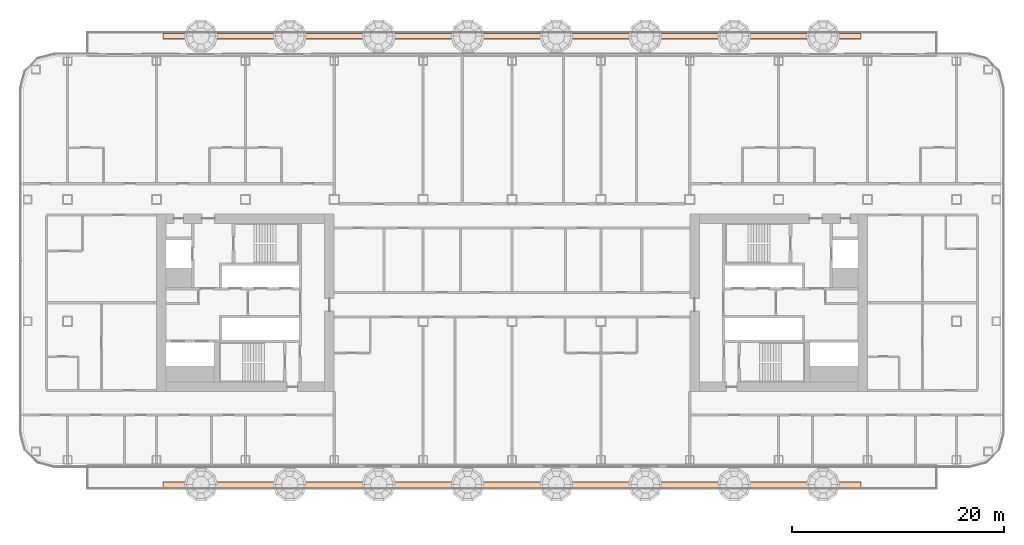
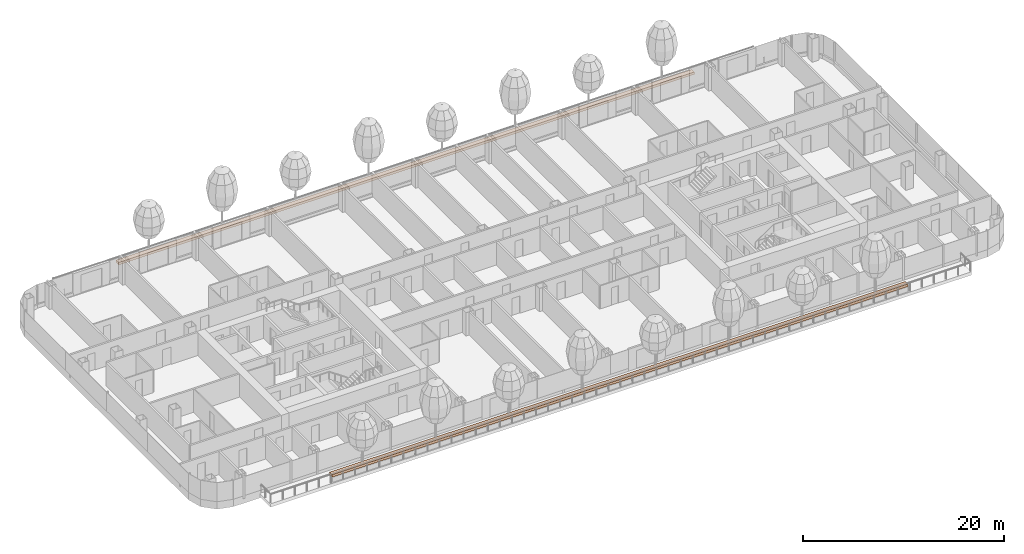
# One storey, part 31 of 34: 2 geographic elements.
"""IFC4 building model written with IfcOpenShell, lengths in metres."""

from ifc_helpers import new_model, si_unit, direction, frame, origin, origin_2d, place, context, subcontext, project, spatial, rectangle, extrude, material, type_object, element, save


model = new_model("IFC4")

# Units and contexts
model_context = context("Model", 3, precision=1e-05, world=origin(), true_north=direction((0.0, 1.0)))
body_context = subcontext(model_context, "Body", "Model", "MODEL_VIEW")
ifc_project = project(units=[si_unit("LENGTHUNIT", "METRE"), si_unit("AREAUNIT", "SQUARE_METRE"), si_unit("VOLUMEUNIT", "CUBIC_METRE"), si_unit("PLANEANGLEUNIT", "RADIAN"), si_unit("MASSUNIT", "GRAM", prefix="KILO")], contexts=[model_context])

# Site, building, storey
site_placement = place(None, origin())
site = spatial("IfcSite", under=ifc_project, at=site_placement, CompositionType="ELEMENT")
building_placement = place(site_placement, origin())
building = spatial("IfcBuilding", under=site, at=building_placement, Name="Hakoniwa Tower and Hamabe Station Hall", CompositionType="ELEMENT")
storey_placement = place(building_placement, frame((0.0, 0.0, 107.39990234375)))
storey = spatial("IfcBuildingStorey", under=building, at=storey_placement, Name="L30", CompositionType="ELEMENT", Elevation=107.39990234375)

# Geographic elements
ifc_material = material(Name="Shrub planting")
geographic_element_type = type_object("IfcGeographicElementType", Name="Shrub planting bed 500x300", PredefinedType="USERDEFINED", material=ifc_material)
for number, where, z_axis, x_axis, name in (
    (1, (0.0, 25.199951171875, 0.60009765625), (0.0, 0.0, 1.0), (1.0, 0.0, 0.0), "Shrub planting bed 500x300"),
    (2, (0.0, -17.199951171875, 0.60009765625), (0.0, 0.0, 1.0), (1.0, 0.0, 0.0), "Shrub planting bed 500x300"),
):
    element("IfcGeographicElement", number, at=place(storey_placement, frame(where, z_axis=z_axis, x_axis=x_axis)), inside=storey, type_object=geographic_element_type, Name=name, ObjectType="PLANTING", PredefinedType="USERDEFINED", context=body_context, shape_type="SweptSolid", body=[
        extrude(rectangle(XDim=66.0, YDim=0.5, at=origin_2d()), origin(), (0.0, 0.0, 1.0), 0.300048828125),
    ])

save(model, "model.ifc")
